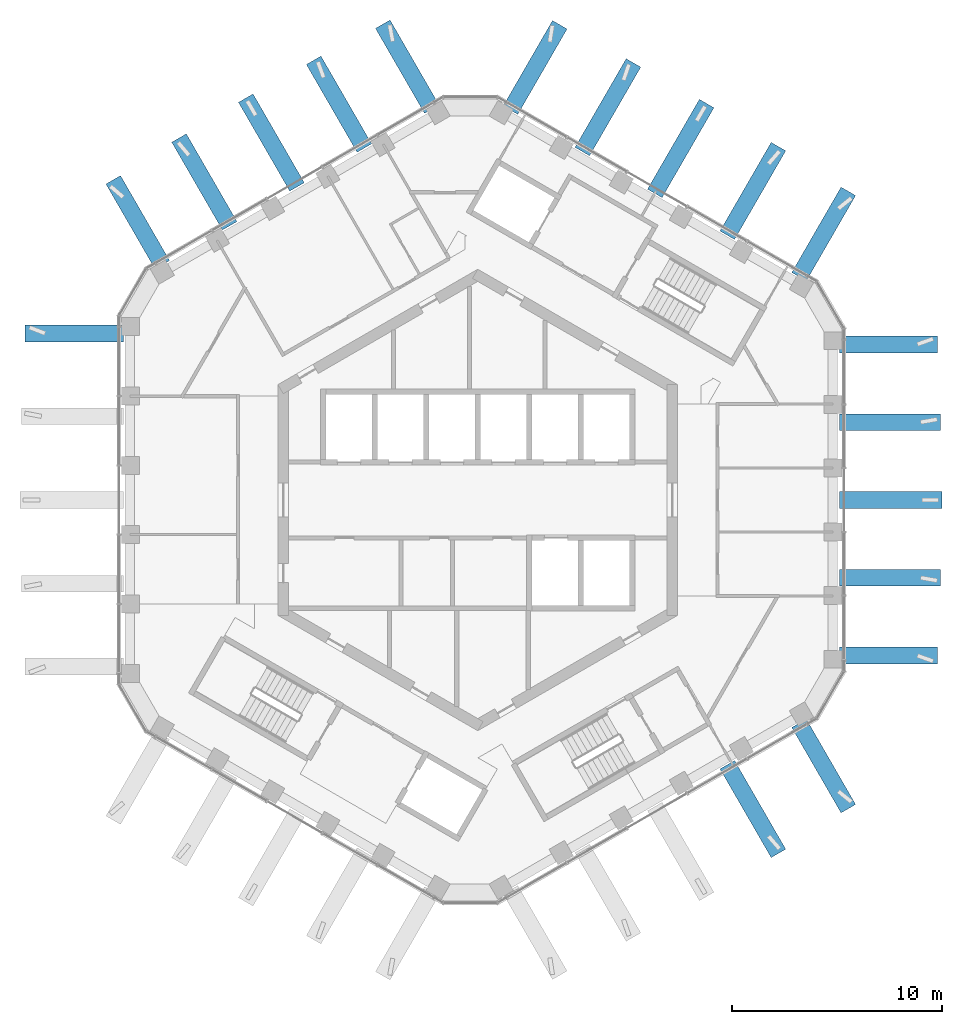
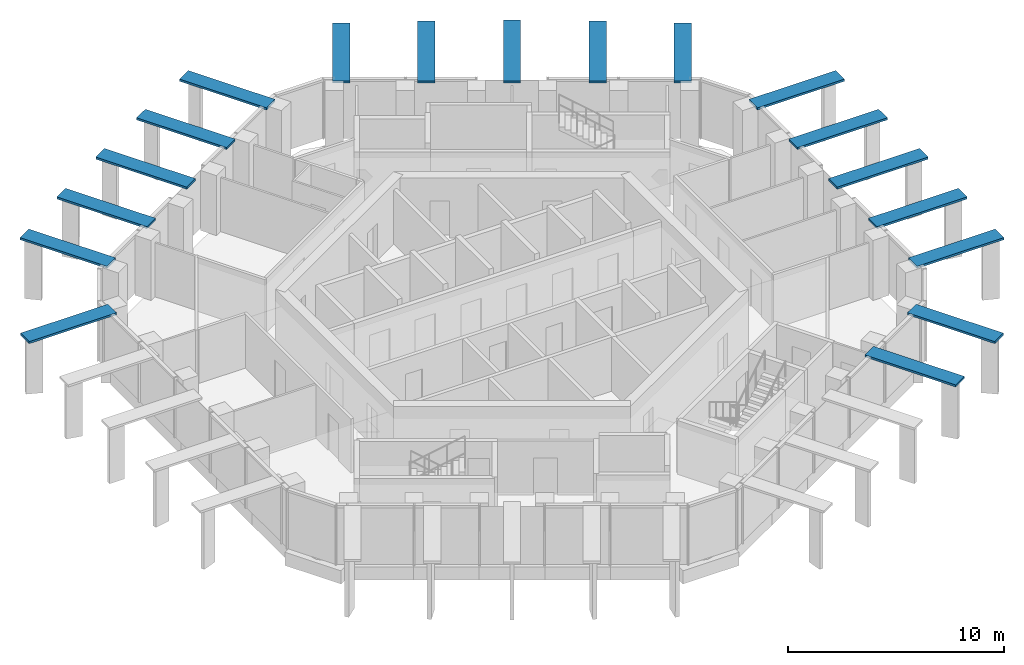
# One storey, part 14 of 18: 18 discrete accessories.
"""IFC4 building model written with IfcOpenShell, lengths in metres."""

from ifc_helpers import new_model, si_unit, direction, frame, origin, origin_2d, place, context, subcontext, project, spatial, rectangle, extrude, material, layer, layer_set, type_object, element, save


model = new_model("IFC4")

# Units and contexts
model_context = context("Model", 3, precision=1e-05, world=origin(), true_north=direction((0.0, 1.0)))
body_context = subcontext(model_context, "Body", "Model", "MODEL_VIEW")
ifc_project = project(units=[si_unit("LENGTHUNIT", "METRE"), si_unit("AREAUNIT", "SQUARE_METRE"), si_unit("VOLUMEUNIT", "CUBIC_METRE"), si_unit("PLANEANGLEUNIT", "RADIAN"), si_unit("MASSUNIT", "GRAM", prefix="KILO")], contexts=[model_context])

# Site, building, storey
site_placement = place(None, origin())
site = spatial("IfcSite", under=ifc_project, at=site_placement, CompositionType="ELEMENT")
building_placement = place(site_placement, origin())
building = spatial("IfcBuilding", under=site, at=building_placement, Name="Ayvan Gate Tower", CompositionType="ELEMENT")
storey_placement = place(building_placement, frame((0.0, 0.0, 239.300048828125)))
storey = spatial("IfcBuildingStorey", under=building, at=storey_placement, Name="L64", CompositionType="ELEMENT", Elevation=239.300048828125)

# Discrete accessories
ifc_material = material(Name="Stainless steel 316", Category="steel")
ifc_layer = layer(ifc_material, 0.1201171875)
ifc_layer_set = layer_set([ifc_layer], Name="Stainless steel 316")
discrete_accessory_type = type_object("IfcDiscreteAccessoryType", Name="Fin carrier bracket", PredefinedType="BRACKET", material=ifc_layer_set)
discrete_accessory_1_placement = place(storey_placement, frame((-19.174072265625, 7.919677734375, 3.27978515625), z_axis=(0.0, 0.0, 1.0), x_axis=(0.0, -1.0, 0.0)))
element("IfcDiscreteAccessory", 1, at=discrete_accessory_1_placement, inside=storey, type_object=discrete_accessory_type, Name="Fin carrier 185", PredefinedType="BRACKET", context=body_context, shape_type="SweptSolid", body=[
    extrude(rectangle(XDim=0.800048828125, YDim=4.685302734375, at=origin_2d()), origin(), (0.0, 0.0, 1.0), 0.1201171875),
])
discrete_accessory_2_placement = place(storey_placement, frame((-16.166259765625, 13.20361328125, 3.27978515625), z_axis=(0.0, 0.0, 1.0), x_axis=(-0.866025403784, -0.5, 0.0)))
element("IfcDiscreteAccessory", 2, at=discrete_accessory_2_placement, inside=storey, type_object=discrete_accessory_type, Name="Fin carrier 239", PredefinedType="BRACKET", context=body_context, shape_type="SweptSolid", body=[
    extrude(rectangle(XDim=0.800048828125, YDim=4.660888671875, at=origin_2d()), origin(), (0.0, 0.0, 1.0), 0.1201171875),
])
discrete_accessory_3_placement = place(storey_placement, frame((-12.998779296875, 15.122802734375, 3.27978515625), z_axis=(0.0, 0.0, 1.0), x_axis=(-0.866025403784, -0.5, 0.0)))
element("IfcDiscreteAccessory", 3, at=discrete_accessory_3_placement, inside=storey, type_object=discrete_accessory_type, Name="Fin carrier 301", PredefinedType="BRACKET", context=body_context, shape_type="SweptSolid", body=[
    extrude(rectangle(XDim=0.800048828125, YDim=4.8173828125, at=origin_2d()), origin(), (0.0, 0.0, 1.0), 0.1201171875),
])
discrete_accessory_4_placement = place(storey_placement, frame((-9.81201171875, 16.994873046875, 3.27978515625), z_axis=(0.0, 0.0, 1.0), x_axis=(-0.866025403784, -0.5, 0.0)))
element("IfcDiscreteAccessory", 4, at=discrete_accessory_4_placement, inside=storey, type_object=discrete_accessory_type, Name="Fin carrier 370", PredefinedType="BRACKET", context=body_context, shape_type="SweptSolid", body=[
    extrude(rectangle(XDim=0.800048828125, YDim=4.873046875, at=origin_2d()), origin(), (0.0, 0.0, 1.0), 0.1201171875),
])
discrete_accessory_5_placement = place(storey_placement, frame((-6.597412109375, 18.818603515625, 3.27978515625), z_axis=(0.0, 0.0, 1.0), x_axis=(-0.866025403784, -0.5, 0.0)))
element("IfcDiscreteAccessory", 5, at=discrete_accessory_5_placement, inside=storey, type_object=discrete_accessory_type, Name="Fin carrier 432", PredefinedType="BRACKET", context=body_context, shape_type="SweptSolid", body=[
    extrude(rectangle(XDim=0.800048828125, YDim=4.8173828125, at=origin_2d()), origin(), (0.0, 0.0, 1.0), 0.1201171875),
])
discrete_accessory_6_placement = place(storey_placement, frame((-3.3515625, 20.602294921875, 3.27978515625), z_axis=(0.0, 0.0, 1.0), x_axis=(-0.866025403784, -0.5, 0.0)))
element("IfcDiscreteAccessory", 6, at=discrete_accessory_6_placement, inside=storey, type_object=discrete_accessory_type, Name="Fin carrier 497", PredefinedType="BRACKET", context=body_context, shape_type="SweptSolid", body=[
    extrude(rectangle(XDim=0.800048828125, YDim=4.660888671875, at=origin_2d()), origin(), (0.0, 0.0, 1.0), 0.1201171875),
])
discrete_accessory_7_placement = place(storey_placement, frame((2.728271484375, 20.565185546875, 3.27978515625), z_axis=(0.0, 0.0, 1.0), x_axis=(-0.866025403784, 0.5, 0.0)))
element("IfcDiscreteAccessory", 7, at=discrete_accessory_7_placement, inside=storey, type_object=discrete_accessory_type, Name="Fin carrier 549", PredefinedType="BRACKET", context=body_context, shape_type="SweptSolid", body=[
    extrude(rectangle(XDim=0.800048828125, YDim=4.685302734375, at=origin_2d()), origin(), (0.0, 0.0, 1.0), 0.1201171875),
])
discrete_accessory_8_placement = place(storey_placement, frame((6.186279296875, 18.673095703125, 3.27978515625), z_axis=(0.0, 0.0, 1.0), x_axis=(-0.866025403784, 0.5, 0.0)))
element("IfcDiscreteAccessory", 8, at=discrete_accessory_8_placement, inside=storey, type_object=discrete_accessory_type, Name="Fin carrier 618", PredefinedType="BRACKET", context=body_context, shape_type="SweptSolid", body=[
    extrude(rectangle(XDim=0.800048828125, YDim=4.8662109375, at=origin_2d()), origin(), (0.0, 0.0, 1.0), 0.1201171875),
])
discrete_accessory_9_placement = place(storey_placement, frame((9.648681640625, 16.71240234375, 3.27978515625), z_axis=(0.0, 0.0, 1.0), x_axis=(-0.866025403784, 0.5, 0.0)))
element("IfcDiscreteAccessory", 9, at=discrete_accessory_9_placement, inside=storey, type_object=discrete_accessory_type, Name="Fin carrier 682", PredefinedType="BRACKET", context=body_context, shape_type="SweptSolid", body=[
    extrude(rectangle(XDim=0.800048828125, YDim=4.932373046875, at=origin_2d()), origin(), (0.0, 0.0, 1.0), 0.1201171875),
])
for number, where, z_axis, x_axis, name in (
    (10, (13.078369140625, -14.694091796875, 3.27978515625), (0.0, 0.0, 1.0), (0.866025403784, 0.5, 0.0), "Fin carrier 734"),
    (11, (13.078125, 14.694091796875, 3.27978515625), (0.0, 0.0, 1.0), (-0.866025403784, 0.5, 0.0), "Fin carrier 745"),
):
    element("IfcDiscreteAccessory", number, at=place(storey_placement, frame(where, z_axis=z_axis, x_axis=x_axis)), inside=storey, type_object=discrete_accessory_type, Name=name, PredefinedType="BRACKET", context=body_context, shape_type="SweptSolid", body=[
        extrude(rectangle(XDim=0.800048828125, YDim=4.8662109375, at=origin_2d()), origin(), (0.0, 0.0, 1.0), 0.1201171875),
    ])
for number, where, z_axis, x_axis, name in (
    (12, (16.44580078125, -12.645263671875, 3.27978515625), (0.0, 0.0, 1.0), (0.866025403784, 0.5, 0.0), "Fin carrier 800"),
    (13, (16.44580078125, 12.645263671875, 3.27978515625), (0.0, 0.0, 1.0), (-0.866025403784, 0.5, 0.0), "Fin carrier 808"),
):
    element("IfcDiscreteAccessory", number, at=place(storey_placement, frame(where, z_axis=z_axis, x_axis=x_axis)), inside=storey, type_object=discrete_accessory_type, Name=name, PredefinedType="BRACKET", context=body_context, shape_type="SweptSolid", body=[
        extrude(rectangle(XDim=0.800048828125, YDim=4.685302734375, at=origin_2d()), origin(), (0.0, 0.0, 1.0), 0.1201171875),
    ])
discrete_accessory_10_placement = place(storey_placement, frame((19.51806640625, -7.3984375, 3.27978515625), z_axis=(0.0, 0.0, 1.0), x_axis=(0.0, 1.0, 0.0)))
element("IfcDiscreteAccessory", 14, at=discrete_accessory_10_placement, inside=storey, type_object=discrete_accessory_type, Name="Fin carrier 837", PredefinedType="BRACKET", context=body_context, shape_type="SweptSolid", body=[
    extrude(rectangle(XDim=0.800048828125, YDim=4.660888671875, at=origin_2d()), origin(), (0.0, 0.0, 1.0), 0.1201171875),
])
discrete_accessory_11_placement = place(storey_placement, frame((19.59619140625, -3.69580078125, 3.27978515625), z_axis=(0.0, 0.0, 1.0), x_axis=(0.0, 1.0, 0.0)))
element("IfcDiscreteAccessory", 15, at=discrete_accessory_11_placement, inside=storey, type_object=discrete_accessory_type, Name="Fin carrier 848", PredefinedType="BRACKET", context=body_context, shape_type="SweptSolid", body=[
    extrude(rectangle(XDim=0.800048828125, YDim=4.8173828125, at=origin_2d()), origin(), (0.0, 0.0, 1.0), 0.1201171875),
])
discrete_accessory_12_placement = place(storey_placement, frame((19.6240234375, 0.0, 3.27978515625), z_axis=(0.0, 0.0, 1.0), x_axis=(0.0, 1.0, 0.0)))
element("IfcDiscreteAccessory", 16, at=discrete_accessory_12_placement, inside=storey, type_object=discrete_accessory_type, Name="Fin carrier 861", PredefinedType="BRACKET", context=body_context, shape_type="SweptSolid", body=[
    extrude(rectangle(XDim=0.800048828125, YDim=4.873046875, at=origin_2d()), origin(), (0.0, 0.0, 1.0), 0.1201171875),
])
discrete_accessory_13_placement = place(storey_placement, frame((19.59619140625, 3.696044921875, 3.27978515625), z_axis=(0.0, 0.0, 1.0), x_axis=(0.0, 1.0, 0.0)))
element("IfcDiscreteAccessory", 17, at=discrete_accessory_13_placement, inside=storey, type_object=discrete_accessory_type, Name="Fin carrier 872", PredefinedType="BRACKET", context=body_context, shape_type="SweptSolid", body=[
    extrude(rectangle(XDim=0.800048828125, YDim=4.8173828125, at=origin_2d()), origin(), (0.0, 0.0, 1.0), 0.1201171875),
])
discrete_accessory_14_placement = place(storey_placement, frame((19.517822265625, 7.398681640625, 3.27978515625), z_axis=(0.0, 0.0, 1.0), x_axis=(0.0, 1.0, 0.0)))
element("IfcDiscreteAccessory", 18, at=discrete_accessory_14_placement, inside=storey, type_object=discrete_accessory_type, Name="Fin carrier 885", PredefinedType="BRACKET", context=body_context, shape_type="SweptSolid", body=[
    extrude(rectangle(XDim=0.800048828125, YDim=4.660888671875, at=origin_2d()), origin(), (0.0, 0.0, 1.0), 0.1201171875),
])

save(model, "model.ifc")
